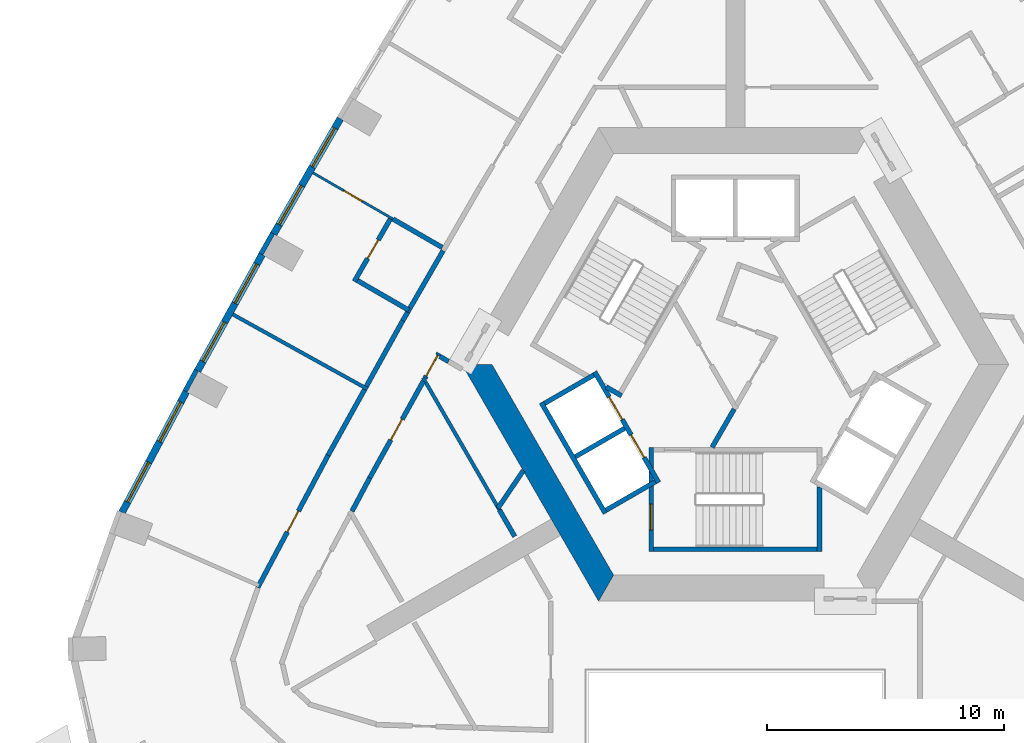
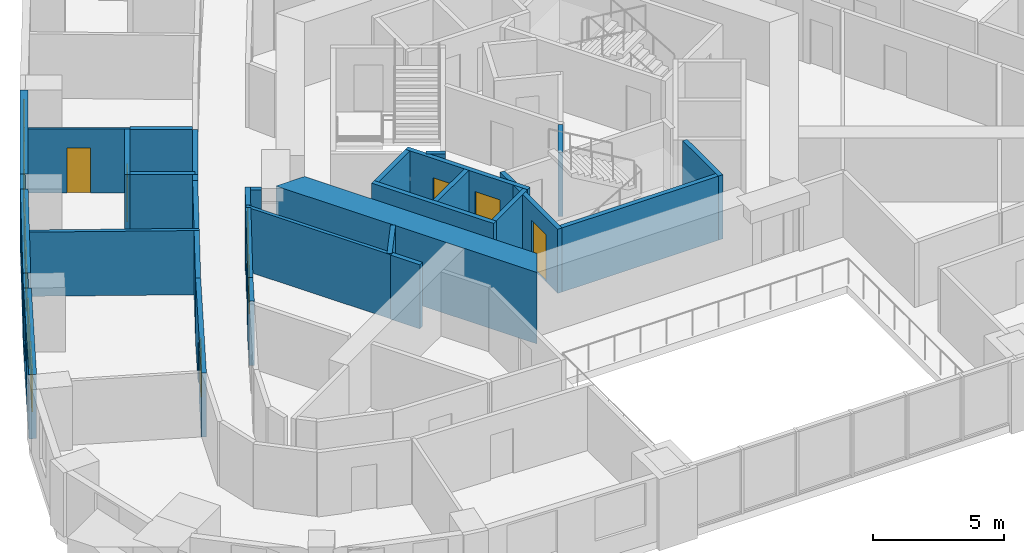
# One storey, part 4 of 12: 33 walls, 8 doors, 6 windows, 14 openings.
"""IFC4 building model written with IfcOpenShell, lengths in metres."""

from ifc_helpers import new_model, si_unit, direction, frame, frame_2d, origin, place, context, subcontext, project, spatial, polyline, rectangle, outline, extrude, material, layer, layer_set, type_object, element, fill, save


model = new_model("IFC4")

# Units and contexts
model_context = context("Model", 3, precision=1e-05, world=origin(), true_north=direction((0.0, 1.0)))
body_context = subcontext(model_context, "Body", "Model", "MODEL_VIEW")
ifc_project = project(units=[si_unit("LENGTHUNIT", "METRE"), si_unit("AREAUNIT", "SQUARE_METRE"), si_unit("VOLUMEUNIT", "CUBIC_METRE"), si_unit("PLANEANGLEUNIT", "RADIAN"), si_unit("MASSUNIT", "GRAM", prefix="KILO")], contexts=[model_context])

# Site, building, storey
site_placement = place(None, origin())
site = spatial("IfcSite", under=ifc_project, at=site_placement, CompositionType="ELEMENT")
building_placement = place(site_placement, origin())
building = spatial("IfcBuilding", under=site, at=building_placement, Name="Entoto Arch Interchange Tower", CompositionType="ELEMENT")
storey_placement = place(building_placement, frame((0.0, 0.0, 277.39990234375)))
storey = spatial("IfcBuildingStorey", under=building, at=storey_placement, Name="L64", CompositionType="ELEMENT", Elevation=277.39990234375)

# Wall
ifc_material_1 = material(Name="Concrete C40/50", Category="concrete")
ifc_layer_1 = layer(ifc_material_1, 1.10009765625)
ifc_layer_set_1 = layer_set([ifc_layer_1], Name="Concrete C40/50")
wall_type_1 = type_object("IfcWallType", Name="Core wall 1100 C40/50", PredefinedType="SHEAR", material=ifc_layer_set_1)
wall_1_placement = place(storey_placement, frame((0.0, 0.0, -0.33984375)))
element("IfcWall", 1, at=wall_1_placement, inside=storey, type_object=wall_type_1, Name="Core wall SW L64", PredefinedType="SHEAR", context=body_context, shape_type="SweptSolid", body=[
    extrude(outline(polyline([(-11.547119140625, 2.5), (-5.77392578125, -7.5), (-5.137939453125, -6.39990234375), (-10.277099609375, 2.5), (-11.547119140625, 2.5)])), origin(), (0.0, 0.0, 1.0), 3.33984375),
])

# Wall, openings, doors
ifc_layer_2 = layer(ifc_material_1, 0.199951171875)
ifc_layer_set_2 = layer_set([ifc_layer_2], Name="Concrete C40/50")
wall_type_2 = type_object("IfcWallType", Name="LIFT SHAFT WALL 200", PredefinedType="STANDARD", material=ifc_layer_set_2)
wall_2_placement = place(storey_placement, frame((-5.93994140625, 2.18798828125, 0.0), z_axis=(0.0, 0.0, 1.0), x_axis=(0.500034260056, -0.866005622828, 0.0)))
wall_2 = element("IfcWall", 2, at=wall_2_placement, inside=storey, type_object=wall_type_2, Name="Shaft wall SW1 front", PredefinedType="STANDARD", context=body_context, shape_type="SweptSolid", body=[
    extrude(rectangle(XDim=5.3994140625, YDim=0.199951171875, at=frame_2d((2.69970703125, 0.0))), origin(), (0.0, 0.0, 1.0), 3.0),
])
opening_1_placement = place(wall_2_placement, frame((3.074951171875, 0.0, 0.0)))
opening_1 = element("IfcOpeningElement", 3, at=opening_1_placement, cuts=wall_2, Name="Opening LD-HR4-L64", PredefinedType="OPENING", context=body_context, shape_type="SweptSolid", body=[
    extrude(rectangle(XDim=1.10009765625, YDim=2.10009765625, at=frame_2d((0.550048828125, 1.050048828125))), frame((0.0, 0.10986328125, 0.0), z_axis=(0.0, -1.0, 0.0), x_axis=(1.0, 0.0, 0.0)), (0.0, 0.0, 1.0), 0.219970703125),
])
opening_2_placement = place(wall_2_placement, frame((1.22509765625, 0.0, 0.0)))
opening_2 = element("IfcOpeningElement", 4, at=opening_2_placement, cuts=wall_2, Name="Opening LD-FF2-L64", PredefinedType="OPENING", context=body_context, shape_type="SweptSolid", body=[
    extrude(rectangle(XDim=1.10009765625, YDim=2.10009765625, at=frame_2d((0.550048828125, 1.050048828125))), frame((0.0, 0.10986328125, 0.0), z_axis=(0.0, -1.0, 0.0), x_axis=(1.0, 0.0, 0.0)), (0.0, 0.0, 1.0), 0.219970703125),
])
ifc_material_2 = material(Name="Stainless steel 1.4301 panels", Category="steel")
door_type_1 = type_object("IfcDoorType", Name="LIFT LANDING DOOR LD1 1100x2100", OperationType="SLIDING_TO_LEFT", PredefinedType="DOOR", material=ifc_material_2)
door_1_placement = place(opening_1_placement, origin())
door_1 = element("IfcDoor", 5, at=door_1_placement, inside=storey, type_object=door_type_1, Name="Lift landing door HR4 L64", OperationType="SLIDING_TO_LEFT", OverallHeight=2.10009765625, OverallWidth=1.10009765625, PredefinedType="DOOR", context=body_context, shape_type="SweptSolid", body=[
    extrude(rectangle(XDim=1.10009765625, YDim=2.10009765625, at=frame_2d((0.550048828125, 1.050048828125))), frame((0.0, 0.02490234375, 0.0), z_axis=(0.0, -1.0, 0.0), x_axis=(1.0, 0.0, 0.0)), (0.0, 0.0, 1.0), 0.050048828125),
])
fill(opening_1, door_1)
door_2_placement = place(opening_2_placement, origin())
door_2 = element("IfcDoor", 6, at=door_2_placement, inside=storey, type_object=door_type_1, Name="Lift landing door FF2 L64", OperationType="SLIDING_TO_LEFT", OverallHeight=2.10009765625, OverallWidth=1.10009765625, PredefinedType="DOOR", context=body_context, shape_type="SweptSolid", body=[
    extrude(rectangle(XDim=1.10009765625, YDim=2.10009765625, at=frame_2d((0.550048828125, 1.050048828125))), frame((0.0, 0.02490234375, 0.0), z_axis=(0.0, -1.0, 0.0), x_axis=(1.0, 0.0, 0.0)), (0.0, 0.0, 1.0), 0.050048828125),
])
fill(opening_2, door_2)

# Walls
wall_3_placement = place(storey_placement, frame((-8.19189453125, 0.887939453125, 0.0), z_axis=(0.0, 0.0, 1.0), x_axis=(0.500034260056, -0.866005622828, 0.0)))
element("IfcWall", 7, at=wall_3_placement, inside=storey, type_object=wall_type_2, Name="Shaft wall SW1 back", PredefinedType="STANDARD", context=body_context, shape_type="SweptSolid", body=[
    extrude(rectangle(XDim=5.3994140625, YDim=0.199951171875, at=frame_2d((2.69970703125, 0.0))), origin(), (0.0, 0.0, 1.0), 3.0),
])
for number, where, z_axis, x_axis, name in (
    (8, (-5.97705078125, 2.052001953125, 0.0), (0.0, 0.0, 1.0), (-0.865973769406, -0.500089422704, 0.0), "Shaft wall SW1 cross 1"),
    (9, (-4.677001953125, -0.199951171875, 0.0), (0.0, 0.0, 1.0), (-0.865973769406, -0.500089422704, 0.0), "Shaft wall SW1 cross 2"),
):
    element("IfcWall", number, at=place(storey_placement, frame(where, z_axis=z_axis, x_axis=x_axis)), inside=storey, type_object=wall_type_2, Name=name, PredefinedType="STANDARD", context=body_context, shape_type="SweptSolid", body=[
        extrude(rectangle(XDim=2.3994140625, YDim=0.199951171875, at=frame_2d((1.19970703125, 0.0))), origin(), (0.0, 0.0, 1.0), 3.0),
    ])
wall_4_placement = place(storey_placement, frame((-3.376953125, -2.451904296875, 0.0), z_axis=(0.0, 0.0, 1.0), x_axis=(-0.865955154139, -0.50012165622, 0.0)))
element("IfcWall", 10, at=wall_4_placement, inside=storey, type_object=wall_type_2, Name="Shaft wall SW1 cross 3", PredefinedType="STANDARD", context=body_context, shape_type="SweptSolid", body=[
    extrude(rectangle(XDim=2.39990234375, YDim=0.199951171875, at=frame_2d((1.199951171875, 0.0))), origin(), (0.0, 0.0, 1.0), 3.0),
])

# Wall, opening, door
ifc_material_3 = material(Name="Gypsum board partition on steel studs", Category="steel")
ifc_layer_3 = layer(ifc_material_3, 0.10009765625)
ifc_layer_set_3 = layer_set([ifc_layer_3], Name="Gypsum board partition on steel studs")
wall_type_3 = type_object("IfcWallType", Name="PARTITION 100", PredefinedType="PARTITIONING", material=ifc_layer_set_3)
wall_5_placement = place(storey_placement, frame((-14.4541015625, 8.636962890625, 0.0), z_axis=(0.0, 0.0, 1.0), x_axis=(-0.865995823051, 0.500051231833, 0.0)))
wall_5 = element("IfcWall", 11, at=wall_5_placement, inside=storey, type_object=wall_type_3, Name="wall:L64:p117", PredefinedType="PARTITIONING", context=body_context, shape_type="SweptSolid", body=[
    extrude(rectangle(XDim=3.8994140625, YDim=0.10009765625, at=frame_2d((1.94970703125, 0.0))), origin(), (0.0, 0.0, 1.0), 3.0),
])
opening_3_placement = place(wall_5_placement, frame((1.5, 0.0, 0.0)))
opening_3 = element("IfcOpeningElement", 12, at=opening_3_placement, cuts=wall_5, Name="Opening L64-D14", PredefinedType="OPENING", context=body_context, shape_type="SweptSolid", body=[
    extrude(rectangle(XDim=0.89990234375, YDim=2.10009765625, at=frame_2d((0.449951171875, 1.050048828125))), frame((0.0, 0.06005859375, 0.0), z_axis=(0.0, -1.0, 0.0), x_axis=(1.0, 0.0, 0.0)), (0.0, 0.0, 1.0), 0.1201171875),
])
ifc_material_4 = material(Name="Timber door leaf in Steel S235 frame", Category="steel")
door_type_2 = type_object("IfcDoorType", Name="DOOR DS-09 900x2100", OperationType="SINGLE_SWING_LEFT", PredefinedType="DOOR", material=ifc_material_4)
door_3_placement = place(opening_3_placement, origin())
door_3 = element("IfcDoor", 13, at=door_3_placement, inside=storey, type_object=door_type_2, Name="door:L64:14", OperationType="SINGLE_SWING_LEFT", OverallHeight=2.10009765625, OverallWidth=0.89990234375, PredefinedType="DOOR", context=body_context, shape_type="SweptSolid", body=[
    extrude(rectangle(XDim=0.89990234375, YDim=2.10009765625, at=frame_2d((0.449951171875, 1.050048828125))), frame((0.0, 0.02490234375, 0.0), z_axis=(0.0, -1.0, 0.0), x_axis=(1.0, 0.0, 0.0)), (0.0, 0.0, 1.0), 0.050048828125),
])
fill(opening_3, door_3)

# Walls
ifc_layer_4 = layer(ifc_material_3, 0.14990234375)
ifc_layer_set_4 = layer_set([ifc_layer_4], Name="Gypsum board partition on steel studs")
wall_type_4 = type_object("IfcWallType", Name="PARTITION 150", PredefinedType="PARTITIONING", material=ifc_layer_set_4)
wall_6_placement = place(storey_placement, frame((-13.18798828125, 1.94189453125, 0.0), z_axis=(0.0, 0.0, 1.0), x_axis=(0.500061177503, -0.865990080056, 0.0)))
element("IfcWall", 14, at=wall_6_placement, inside=storey, type_object=wall_type_4, Name="wall:L64:p073", PredefinedType="PARTITIONING", context=body_context, shape_type="SweptSolid", body=[
    extrude(rectangle(XDim=6.447021484375, YDim=0.14990234375, at=frame_2d((3.2236328125, 0.0))), origin(), (0.0, 0.0, 1.0), 3.0),
])
wall_7_placement = place(storey_placement, frame((-15.531982421875, 1.45703125, 0.0), z_axis=(0.0, 0.0, 1.0), x_axis=(-0.874467143452, 0.485084750351, 0.0)))
element("IfcWall", 15, at=wall_7_placement, inside=storey, type_object=wall_type_4, Name="wall:L64:p121", PredefinedType="PARTITIONING", context=body_context, shape_type="SweptSolid", body=[
    extrude(rectangle(XDim=6.5, YDim=0.14990234375, at=frame_2d((3.25, 0.0))), origin(), (0.0, 0.0, 1.0), 3.0),
])

# Wall, opening, door
ifc_layer_5 = layer(ifc_material_3, 0.199951171875)
ifc_layer_set_5 = layer_set([ifc_layer_5], Name="Gypsum board partition on steel studs")
wall_type_5 = type_object("IfcWallType", Name="PARTITION 200", PredefinedType="PARTITIONING", material=ifc_layer_set_5)
wall_8_placement = place(storey_placement, frame((-12.51708984375, 2.97509765625, 0.0), z_axis=(0.0, 0.0, 1.0), x_axis=(-0.485195833999, -0.87440551386, 0.0)))
wall_8 = element("IfcWall", 16, at=wall_8_placement, inside=storey, type_object=wall_type_5, Name="wall:L64:p005", PredefinedType="PARTITIONING", context=body_context, shape_type="SweptSolid", body=[
    extrude(rectangle(XDim=1.20556640625, YDim=0.199951171875, at=frame_2d((0.602783203125, 0.0))), origin(), (0.0, 0.0, 1.0), 3.0),
])
opening_4_placement = place(wall_8_placement, frame((0.10302734375, 0.0, 0.0)))
opening_4 = element("IfcOpeningElement", 17, at=opening_4_placement, cuts=wall_8, Name="Opening L64-D30", PredefinedType="OPENING", context=body_context, shape_type="SweptSolid", body=[
    extrude(rectangle(XDim=1.0, YDim=2.10009765625, at=frame_2d((0.5, 1.050048828125))), frame((0.0, 0.10986328125, 0.0), z_axis=(0.0, -1.0, 0.0), x_axis=(1.0, 0.0, 0.0)), (0.0, 0.0, 1.0), 0.219970703125),
])
door_type_3 = type_object("IfcDoorType", Name="DOOR DS-10 1000x2100", OperationType="SINGLE_SWING_LEFT", PredefinedType="DOOR", material=ifc_material_4)
door_4_placement = place(opening_4_placement, origin())
door_4 = element("IfcDoor", 18, at=door_4_placement, inside=storey, type_object=door_type_3, Name="door:L64:30", OperationType="SINGLE_SWING_RIGHT", OverallHeight=2.10009765625, OverallWidth=1.0, PredefinedType="DOOR", context=body_context, shape_type="SweptSolid", body=[
    extrude(rectangle(XDim=1.0, YDim=2.10009765625, at=frame_2d((0.5, 1.050048828125))), frame((0.0, 0.02490234375, 0.0), z_axis=(0.0, -1.0, 0.0), x_axis=(1.0, 0.0, 0.0)), (0.0, 0.0, 1.0), 0.050048828125),
])
fill(opening_4, door_4)

wall_9_placement = place(storey_placement, frame((-13.174072265625, 1.7900390625, 0.0), z_axis=(0.0, 0.0, 1.0), x_axis=(-0.485079003918, -0.874470331091, 0.0)))
wall_9 = element("IfcWall", 19, at=wall_9_placement, inside=storey, type_object=wall_type_5, Name="wall:L64:p028", PredefinedType="PARTITIONING", context=body_context, shape_type="SweptSolid", body=[
    extrude(rectangle(XDim=4.669189453125, YDim=0.199951171875, at=frame_2d((2.33447265625, 0.0))), origin(), (0.0, 0.0, 1.0), 3.0),
])
opening_5_placement = place(wall_9_placement, frame((1.833984375, 0.0, 0.0)))
opening_5 = element("IfcOpeningElement", 20, at=opening_5_placement, cuts=wall_9, Name="Opening L64-D26", PredefinedType="OPENING", context=body_context, shape_type="SweptSolid", body=[
    extrude(rectangle(XDim=1.0, YDim=2.10009765625, at=frame_2d((0.5, 1.050048828125))), frame((0.0, 0.10986328125, 0.0), z_axis=(0.0, -1.0, 0.0), x_axis=(1.0, 0.0, 0.0)), (0.0, 0.0, 1.0), 0.219970703125),
])
door_5_placement = place(opening_5_placement, origin())
door_5 = element("IfcDoor", 21, at=door_5_placement, inside=storey, type_object=door_type_3, Name="door:L64:26", OperationType="SINGLE_SWING_LEFT", OverallHeight=2.10009765625, OverallWidth=1.0, PredefinedType="DOOR", context=body_context, shape_type="SweptSolid", body=[
    extrude(rectangle(XDim=1.0, YDim=2.10009765625, at=frame_2d((0.5, 1.050048828125))), frame((0.0, 0.02490234375, 0.0), z_axis=(0.0, -1.0, 0.0), x_axis=(1.0, 0.0, 0.0)), (0.0, 0.0, 1.0), 0.050048828125),
])
fill(opening_5, door_5)

# Walls
wall_10_placement = place(storey_placement, frame((-15.43896484375, -2.29296875, 0.0), z_axis=(0.0, 0.0, 1.0), x_axis=(-0.469248780065, -0.883066012486, 0.0)))
element("IfcWall", 22, at=wall_10_placement, inside=storey, type_object=wall_type_5, Name="wall:L64:p029", PredefinedType="PARTITIONING", context=body_context, shape_type="SweptSolid", body=[
    extrude(rectangle(XDim=1.590087890625, YDim=0.199951171875, at=frame_2d((0.794921875, 0.0))), origin(), (0.0, 0.0, 1.0), 3.0),
])
wall_11_placement = place(storey_placement, frame((-15.5830078125, 1.571044921875, 0.0), z_axis=(0.0, 0.0, 1.0), x_axis=(0.484944791944, 0.874544766588, 0.0)))
element("IfcWall", 23, at=wall_11_placement, inside=storey, type_object=wall_type_5, Name="wall:L64:p062", PredefinedType="PARTITIONING", context=body_context, shape_type="SweptSolid", body=[
    extrude(rectangle(XDim=3.177734375, YDim=0.199951171875, at=frame_2d((1.5888671875, 0.0))), origin(), (0.0, 0.0, 1.0), 3.0),
])
wall_12_placement = place(storey_placement, frame((-14.0419921875, 4.35009765625, 0.0), z_axis=(0.0, 0.0, 1.0), x_axis=(0.501816902032, 0.864973870608, 0.0)))
element("IfcWall", 24, at=wall_12_placement, inside=storey, type_object=wall_type_5, Name="wall:L64:p063", PredefinedType="PARTITIONING", context=body_context, shape_type="SweptSolid", body=[
    extrude(rectangle(XDim=0.40673828125, YDim=0.199951171875, at=frame_2d((0.203369140625, 0.0))), origin(), (0.0, 0.0, 1.0), 3.0),
])
wall_13_placement = place(storey_placement, frame((-13.837890625, 4.701904296875, 0.0), z_axis=(0.0, 0.0, 1.0), x_axis=(0.499543983968, 0.866288524731, 0.0)))
element("IfcWall", 25, at=wall_13_placement, inside=storey, type_object=wall_type_5, Name="wall:L64:p064", PredefinedType="PARTITIONING", context=body_context, shape_type="SweptSolid", body=[
    extrude(rectangle(XDim=3.000244140625, YDim=0.199951171875, at=frame_2d((1.5, 0.0))), origin(), (0.0, 0.0, 1.0), 3.0),
])

# Wall, opening, door
wall_14_placement = place(storey_placement, frame((-20.16796875, -6.926025390625, 0.0), z_axis=(0.0, 0.0, 1.0), x_axis=(0.469552838911, 0.882904372778, 0.0)))
wall_14 = element("IfcWall", 26, at=wall_14_placement, inside=storey, type_object=wall_type_5, Name="wall:L64:p065", PredefinedType="PARTITIONING", context=body_context, shape_type="SweptSolid", body=[
    extrude(rectangle(XDim=6.329345703125, YDim=0.199951171875, at=frame_2d((3.16455078125, 0.0))), origin(), (0.0, 0.0, 1.0), 3.0),
])
opening_6_placement = place(wall_14_placement, frame((2.6650390625, 0.0, 0.0)))
opening_6 = element("IfcOpeningElement", 27, at=opening_6_placement, cuts=wall_14, Name="Opening L64-D19", PredefinedType="OPENING", context=body_context, shape_type="SweptSolid", body=[
    extrude(rectangle(XDim=1.0, YDim=2.10009765625, at=frame_2d((0.5, 1.050048828125))), frame((0.0, 0.10986328125, 0.0), z_axis=(0.0, -1.0, 0.0), x_axis=(1.0, 0.0, 0.0)), (0.0, 0.0, 1.0), 0.219970703125),
])
door_6_placement = place(opening_6_placement, origin())
door_6 = element("IfcDoor", 28, at=door_6_placement, inside=storey, type_object=door_type_3, Name="door:L64:19", OperationType="SINGLE_SWING_LEFT", OverallHeight=2.10009765625, OverallWidth=1.0, PredefinedType="DOOR", context=body_context, shape_type="SweptSolid", body=[
    extrude(rectangle(XDim=1.0, YDim=2.10009765625, at=frame_2d((0.5, 1.050048828125))), frame((0.0, 0.02490234375, 0.0), z_axis=(0.0, -1.0, 0.0), x_axis=(1.0, 0.0, 0.0)), (0.0, 0.0, 1.0), 0.050048828125),
])
fill(opening_6, door_6)

# Walls
wall_15_placement = place(storey_placement, frame((-17.196044921875, -1.337890625, 0.0), z_axis=(0.0, 0.0, 1.0), x_axis=(0.485107756493, 0.87445438108, 0.0)))
element("IfcWall", 29, at=wall_15_placement, inside=storey, type_object=wall_type_5, Name="wall:L64:p066", PredefinedType="PARTITIONING", context=body_context, shape_type="SweptSolid", body=[
    extrude(rectangle(XDim=3.1767578125, YDim=0.199951171875, at=frame_2d((1.58837890625, 0.0))), origin(), (0.0, 0.0, 1.0), 3.0),
])
wall_16_placement = place(storey_placement, frame((-10.028076171875, -3.574951171875, 0.0), z_axis=(0.0, 0.0, 1.0), x_axis=(0.559779346026, 0.828641710127, 0.0)))
element("IfcWall", 30, at=wall_16_placement, inside=storey, type_object=wall_type_5, Name="wall:L64:p072", PredefinedType="PARTITIONING", context=body_context, shape_type="SweptSolid", body=[
    extrude(rectangle(XDim=1.9150390625, YDim=0.199951171875, at=frame_2d((0.95751953125, 0.0))), origin(), (0.0, 0.0, 1.0), 3.0),
])
wall_17_placement = place(storey_placement, frame((-0.98193359375, -1.0, 0.0), z_axis=(0.0, 0.0, 1.0), x_axis=(0.50024047865, 0.865886518847, 0.0)))
element("IfcWall", 31, at=wall_17_placement, inside=storey, type_object=wall_type_5, Name="wall:L64:p077", PredefinedType="PARTITIONING", context=body_context, shape_type="SweptSolid", body=[
    extrude(rectangle(XDim=1.86279296875, YDim=0.199951171875, at=frame_2d((0.931396484375, 0.0))), origin(), (0.0, 0.0, 1.0), 3.0),
])
wall_18_placement = place(storey_placement, frame((-9.31591796875, -4.763916015625, 0.0), z_axis=(0.0, 0.0, 1.0), x_axis=(-0.49996696679, 0.866044474677, 0.0)))
element("IfcWall", 32, at=wall_18_placement, inside=storey, type_object=wall_type_5, Name="wall:L64:p081", PredefinedType="PARTITIONING", context=body_context, shape_type="SweptSolid", body=[
    extrude(rectangle(XDim=1.29638671875, YDim=0.199951171875, at=frame_2d((0.648193359375, 0.0))), origin(), (0.0, 0.0, 1.0), 3.0),
])
wall_19_placement = place(storey_placement, frame((-12.375, 7.43701171875, 0.0), z_axis=(0.0, 0.0, 1.0), x_axis=(-0.866100915363, 0.499869187296, 0.0)))
element("IfcWall", 33, at=wall_19_placement, inside=storey, type_object=wall_type_5, Name="wall:L64:p118", PredefinedType="PARTITIONING", context=body_context, shape_type="SweptSolid", body=[
    extrude(rectangle(XDim=2.400634765625, YDim=0.199951171875, at=frame_2d((1.2001953125, 0.0))), origin(), (0.0, 0.0, 1.0), 3.0),
])

# Wall, opening, door
wall_20_placement = place(storey_placement, frame((-14.514892578125, 8.72998046875, 0.0), z_axis=(0.0, 0.0, 1.0), x_axis=(-0.500039995618, -0.866002311072, 0.0)))
wall_20 = element("IfcWall", 34, at=wall_20_placement, inside=storey, type_object=wall_type_5, Name="wall:L64:p119", PredefinedType="PARTITIONING", context=body_context, shape_type="SweptSolid", body=[
    extrude(rectangle(XDim=3.150146484375, YDim=0.199951171875, at=frame_2d((1.5751953125, 0.0))), origin(), (0.0, 0.0, 1.0), 3.0),
])
opening_7_placement = place(wall_20_placement, frame((1.125, 0.0, 0.0)))
opening_7 = element("IfcOpeningElement", 35, at=opening_7_placement, cuts=wall_20, Name="Opening L64-D15", PredefinedType="OPENING", context=body_context, shape_type="SweptSolid", body=[
    extrude(rectangle(XDim=0.89990234375, YDim=2.10009765625, at=frame_2d((0.449951171875, 1.050048828125))), frame((0.0, 0.10986328125, 0.0), z_axis=(0.0, -1.0, 0.0), x_axis=(1.0, 0.0, 0.0)), (0.0, 0.0, 1.0), 0.219970703125),
])
door_7_placement = place(opening_7_placement, origin())
door_7 = element("IfcDoor", 36, at=door_7_placement, inside=storey, type_object=door_type_2, Name="door:L64:15", OperationType="SINGLE_SWING_LEFT", OverallHeight=2.10009765625, OverallWidth=0.89990234375, PredefinedType="DOOR", context=body_context, shape_type="SweptSolid", body=[
    extrude(rectangle(XDim=0.89990234375, YDim=2.10009765625, at=frame_2d((0.449951171875, 1.050048828125))), frame((0.0, 0.02490234375, 0.0), z_axis=(0.0, -1.0, 0.0), x_axis=(1.0, 0.0, 0.0)), (0.0, 0.0, 1.0), 0.050048828125),
])
fill(opening_7, door_7)

# Walls
wall_21_placement = place(storey_placement, frame((-15.952880859375, 6.0390625, 0.0), z_axis=(0.0, 0.0, 1.0), x_axis=(0.865998541277, -0.500046524342, 0.0)))
element("IfcWall", 37, at=wall_21_placement, inside=storey, type_object=wall_type_5, Name="wall:L64:p120", PredefinedType="PARTITIONING", context=body_context, shape_type="SweptSolid", body=[
    extrude(rectangle(XDim=2.499755859375, YDim=0.199951171875, at=frame_2d((1.25, 0.0))), origin(), (0.0, 0.0, 1.0), 3.0),
])
wall_22_placement = place(storey_placement, frame((-12.110107421875, 2.625, 0.0), z_axis=(0.0, 0.0, 1.0), x_axis=(-0.86611877815, 0.499838235968, 0.0)))
element("IfcWall", 38, at=wall_22_placement, inside=storey, type_object=wall_type_5, Name="wall:L64:p004", PredefinedType="PARTITIONING", context=body_context, shape_type="SweptSolid", body=[
    extrude(rectangle(XDim=0.426025390625, YDim=0.199951171875, at=frame_2d((0.212890625, 0.0))), origin(), (0.0, 0.0, 1.0), 3.0),
])

# Wall, opening, door
ifc_layer_6 = layer(ifc_material_1, 0.199951171875)
ifc_layer_set_6 = layer_set([ifc_layer_6], Name="Concrete C40/50")
wall_type_6 = type_object("IfcWallType", Name="STAIR ENCLOSURE WALL 200", PredefinedType="STANDARD", material=ifc_layer_set_6)
wall_23_placement = place(storey_placement, frame((-3.550048828125, -1.0, 0.0), z_axis=(0.0, 0.0, 1.0), x_axis=(0.0, -1.0, 0.0)))
wall_23 = element("IfcWall", 39, at=wall_23_placement, inside=storey, type_object=wall_type_6, Name="Stair wall ST-S near", PredefinedType="STANDARD", context=body_context, shape_type="SweptSolid", body=[
    extrude(rectangle(XDim=4.39990234375, YDim=0.199951171875, at=frame_2d((2.199951171875, 0.0))), origin(), (0.0, 0.0, 1.0), 3.0),
])
opening_8_placement = place(wall_23_placement, frame((2.39990234375, 0.0, 0.0)))
opening_8 = element("IfcOpeningElement", 40, at=opening_8_placement, cuts=wall_23, Name="Opening SD-ST-S-L64-E", PredefinedType="OPENING", context=body_context, shape_type="SweptSolid", body=[
    extrude(rectangle(XDim=1.10009765625, YDim=2.199951171875, at=frame_2d((0.550048828125, 1.10009765625))), frame((0.0, 0.10986328125, 0.0), z_axis=(0.0, -1.0, 0.0), x_axis=(1.0, 0.0, 0.0)), (0.0, 0.0, 1.0), 0.219970703125),
])
ifc_material_5 = material(Name="Steel S235", Category="steel")
door_type_4 = type_object("IfcDoorType", Name="STAIR DOOR SD1 1100x2200", OperationType="SINGLE_SWING_LEFT", PredefinedType="DOOR", material=ifc_material_5)
door_8_placement = place(opening_8_placement, origin())
door_8 = element("IfcDoor", 41, at=door_8_placement, inside=storey, type_object=door_type_4, Name="Stair door ST-S L64 end", OperationType="SINGLE_SWING_LEFT", OverallHeight=2.199951171875, OverallWidth=1.10009765625, PredefinedType="DOOR", context=body_context, shape_type="SweptSolid", body=[
    extrude(rectangle(XDim=1.10009765625, YDim=2.199951171875, at=frame_2d((0.550048828125, 1.10009765625))), frame((0.0, 0.02490234375, 0.0), z_axis=(0.0, -1.0, 0.0), x_axis=(1.0, 0.0, 0.0)), (0.0, 0.0, 1.0), 0.050048828125),
])
fill(opening_8, door_8)

# Walls
wall_24_placement = place(storey_placement, frame((3.550048828125, -2.6669921875, 0.0), z_axis=(0.0, 0.0, 1.0), x_axis=(0.0, -1.0, 0.0)))
element("IfcWall", 42, at=wall_24_placement, inside=storey, type_object=wall_type_6, Name="Stair wall ST-S far", PredefinedType="STANDARD", context=body_context, shape_type="SweptSolid", body=[
    extrude(rectangle(XDim=2.73291015625, YDim=0.199951171875, at=frame_2d((1.366455078125, 0.0))), origin(), (0.0, 0.0, 1.0), 3.0),
])
wall_25_placement = place(storey_placement, frame((-3.449951171875, -5.300048828125, 0.0), z_axis=(0.0, 0.0, 1.0), x_axis=(1.0, 0.0, 0.0)))
element("IfcWall", 43, at=wall_25_placement, inside=storey, type_object=wall_type_6, Name="Stair wall ST-S back", PredefinedType="STANDARD", context=body_context, shape_type="SweptSolid", body=[
    extrude(rectangle(XDim=6.89990234375, YDim=0.199951171875, at=frame_2d((3.449951171875, 0.0))), origin(), (0.0, 0.0, 1.0), 3.0),
])
wall_26_placement = place(storey_placement, frame((-4.805908203125, 1.176025390625, 0.0), z_axis=(0.0, 0.0, 1.0), x_axis=(-0.866558586415, 0.499075361355, 0.0)))
element("IfcWall", 44, at=wall_26_placement, inside=storey, type_object=wall_type_6, Name="Stair wall ST-NW far return", PredefinedType="STANDARD", context=body_context, shape_type="SweptSolid", body=[
    extrude(rectangle(XDim=0.75146484375, YDim=0.199951171875, at=frame_2d((0.375732421875, 0.0))), origin(), (0.0, 0.0, 1.0), 3.0),
])

# Wall, openings, windows
ifc_material_6 = material(Name="Welded tuff (ignimbrite) cladding, warm buff", Category="masonry")
ifc_layer_7 = layer(ifc_material_6, 0.300048828125)
ifc_layer_set_7 = layer_set([ifc_layer_7], Name="Welded tuff (ignimbrite) cladding, warm buff")
wall_type_7 = type_object("IfcWallType", Name="STONE INFILL WALL 300", PredefinedType="STANDARD", material=ifc_layer_set_7)
wall_27_placement = place(storey_placement, frame((-16.681884765625, 12.876953125, 0.0), z_axis=(0.0, 0.0, 1.0), x_axis=(-0.49999685976, -0.866027216796, 0.0)))
wall_27 = element("IfcWall", 45, at=wall_27_placement, inside=storey, type_object=wall_type_7, Name="Facade wall NW-03 L64", PredefinedType="STANDARD", context=body_context, shape_type="SweptSolid", body=[
    extrude(rectangle(XDim=5.6220703125, YDim=0.300048828125, at=frame_2d((2.81103515625, 0.0))), origin(), (0.0, 0.0, 1.0), 3.0),
])
opening_9_placement = place(wall_27_placement, frame((0.4560546875, 0.0, 0.89990234375)))
opening_9 = element("IfcOpeningElement", 46, at=opening_9_placement, cuts=wall_27, Name="Opening WH-C", PredefinedType="OPENING", context=body_context, shape_type="SweptSolid", body=[
    extrude(rectangle(XDim=1.89990234375, YDim=2.0, at=frame_2d((0.949951171875, 1.0))), frame((0.0, 0.16015625, 0.0), z_axis=(0.0, -1.0, 0.0), x_axis=(1.0, 0.0, 0.0)), (0.0, 0.0, 1.0), 0.320068359375),
])
opening_10_placement = place(wall_27_placement, frame((3.26708984375, 0.0, 0.89990234375)))
opening_10 = element("IfcOpeningElement", 47, at=opening_10_placement, cuts=wall_27, Name="Opening WH-C", PredefinedType="OPENING", context=body_context, shape_type="SweptSolid", body=[
    extrude(rectangle(XDim=1.89990234375, YDim=2.0, at=frame_2d((0.949951171875, 1.0))), frame((0.0, 0.16015625, 0.0), z_axis=(0.0, -1.0, 0.0), x_axis=(1.0, 0.0, 0.0)), (0.0, 0.0, 1.0), 0.320068359375),
])
ifc_material_7 = material(Name="Clear glass, low-e double glazed", Category="glass")
window_type = type_object("IfcWindowType", Name="WINDOW WH-C 1900x2000", PartitioningType="DOUBLE_PANEL_VERTICAL", PredefinedType="WINDOW", material=ifc_material_7)
window_1_placement = place(opening_9_placement, origin())
window_1 = element("IfcWindow", 48, at=window_1_placement, inside=storey, type_object=window_type, Name="Window WH-C NW-03 L64", OverallHeight=2.0, OverallWidth=1.89990234375, PartitioningType="SINGLE_PANEL", PredefinedType="WINDOW", context=body_context, shape_type="SweptSolid", body=[
    extrude(rectangle(XDim=1.89990234375, YDim=2.0, at=frame_2d((0.949951171875, 1.0))), frame((0.0, 0.030029296875, 0.0), z_axis=(0.0, -1.0, 0.0), x_axis=(1.0, 0.0, 0.0)), (0.0, 0.0, 1.0), 0.06005859375),
])
fill(opening_9, window_1)
window_2_placement = place(opening_10_placement, origin())
window_2 = element("IfcWindow", 49, at=window_2_placement, inside=storey, type_object=window_type, Name="Window WH-C NW-03 L64", OverallHeight=2.0, OverallWidth=1.89990234375, PartitioningType="SINGLE_PANEL", PredefinedType="WINDOW", context=body_context, shape_type="SweptSolid", body=[
    extrude(rectangle(XDim=1.89990234375, YDim=2.0, at=frame_2d((0.949951171875, 1.0))), frame((0.0, 0.030029296875, 0.0), z_axis=(0.0, -1.0, 0.0), x_axis=(1.0, 0.0, 0.0)), (0.0, 0.0, 1.0), 0.06005859375),
])
fill(opening_10, window_2)

wall_28_placement = place(storey_placement, frame((-19.98388671875, 7.139892578125, 0.0), z_axis=(0.0, 0.0, 1.0), x_axis=(-0.485049005017, -0.874486971162, 0.0)))
wall_28 = element("IfcWall", 50, at=wall_28_placement, inside=storey, type_object=wall_type_7, Name="Facade wall NW-04 L64", PredefinedType="STANDARD", context=body_context, shape_type="SweptSolid", body=[
    extrude(rectangle(XDim=5.6201171875, YDim=0.300048828125, at=frame_2d((2.81005859375, 0.0))), origin(), (0.0, 0.0, 1.0), 3.0),
])
opening_11_placement = place(wall_28_placement, frame((0.455078125, 0.0, 0.89990234375)))
opening_11 = element("IfcOpeningElement", 51, at=opening_11_placement, cuts=wall_28, Name="Opening WH-C", PredefinedType="OPENING", context=body_context, shape_type="SweptSolid", body=[
    extrude(rectangle(XDim=1.89990234375, YDim=2.0, at=frame_2d((0.949951171875, 1.0))), frame((0.0, 0.16015625, 0.0), z_axis=(0.0, -1.0, 0.0), x_axis=(1.0, 0.0, 0.0)), (0.0, 0.0, 1.0), 0.320068359375),
])
opening_12_placement = place(wall_28_placement, frame((3.264892578125, 0.0, 0.89990234375)))
opening_12 = element("IfcOpeningElement", 52, at=opening_12_placement, cuts=wall_28, Name="Opening WH-C", PredefinedType="OPENING", context=body_context, shape_type="SweptSolid", body=[
    extrude(rectangle(XDim=1.89990234375, YDim=2.0, at=frame_2d((0.949951171875, 1.0))), frame((0.0, 0.16015625, 0.0), z_axis=(0.0, -1.0, 0.0), x_axis=(1.0, 0.0, 0.0)), (0.0, 0.0, 1.0), 0.320068359375),
])
window_3_placement = place(opening_11_placement, origin())
window_3 = element("IfcWindow", 53, at=window_3_placement, inside=storey, type_object=window_type, Name="Window WH-C NW-04 L64", OverallHeight=2.0, OverallWidth=1.89990234375, PartitioningType="SINGLE_PANEL", PredefinedType="WINDOW", context=body_context, shape_type="SweptSolid", body=[
    extrude(rectangle(XDim=1.89990234375, YDim=2.0, at=frame_2d((0.949951171875, 1.0))), frame((0.0, 0.030029296875, 0.0), z_axis=(0.0, -1.0, 0.0), x_axis=(1.0, 0.0, 0.0)), (0.0, 0.0, 1.0), 0.06005859375),
])
fill(opening_11, window_3)
window_4_placement = place(opening_12_placement, origin())
window_4 = element("IfcWindow", 54, at=window_4_placement, inside=storey, type_object=window_type, Name="Window WH-C NW-04 L64", OverallHeight=2.0, OverallWidth=1.89990234375, PartitioningType="SINGLE_PANEL", PredefinedType="WINDOW", context=body_context, shape_type="SweptSolid", body=[
    extrude(rectangle(XDim=1.89990234375, YDim=2.0, at=frame_2d((0.949951171875, 1.0))), frame((0.0, 0.030029296875, 0.0), z_axis=(0.0, -1.0, 0.0), x_axis=(1.0, 0.0, 0.0)), (0.0, 0.0, 1.0), 0.06005859375),
])
fill(opening_12, window_4)

wall_29_placement = place(storey_placement, frame((-23.18603515625, 1.347900390625, 0.0), z_axis=(0.0, 0.0, 1.0), x_axis=(-0.469691596427, -0.882830563724, 0.0)))
wall_29 = element("IfcWall", 55, at=wall_29_placement, inside=storey, type_object=wall_type_7, Name="Facade wall NW-05 L64", PredefinedType="STANDARD", context=body_context, shape_type="SweptSolid", body=[
    extrude(rectangle(XDim=5.767578125, YDim=0.300048828125, at=frame_2d((2.8837890625, 0.0))), origin(), (0.0, 0.0, 1.0), 3.0),
])
opening_13_placement = place(wall_29_placement, frame((0.491943359375, 0.0, 0.89990234375)))
opening_13 = element("IfcOpeningElement", 56, at=opening_13_placement, cuts=wall_29, Name="Opening WH-C", PredefinedType="OPENING", context=body_context, shape_type="SweptSolid", body=[
    extrude(rectangle(XDim=1.89990234375, YDim=2.0, at=frame_2d((0.949951171875, 1.0))), frame((0.0, 0.16015625, 0.0), z_axis=(0.0, -1.0, 0.0), x_axis=(1.0, 0.0, 0.0)), (0.0, 0.0, 1.0), 0.320068359375),
])
opening_14_placement = place(wall_29_placement, frame((3.3759765625, 0.0, 0.89990234375)))
opening_14 = element("IfcOpeningElement", 57, at=opening_14_placement, cuts=wall_29, Name="Opening WH-C", PredefinedType="OPENING", context=body_context, shape_type="SweptSolid", body=[
    extrude(rectangle(XDim=1.89990234375, YDim=2.0, at=frame_2d((0.949951171875, 1.0))), frame((0.0, 0.16015625, 0.0), z_axis=(0.0, -1.0, 0.0), x_axis=(1.0, 0.0, 0.0)), (0.0, 0.0, 1.0), 0.320068359375),
])
window_5_placement = place(opening_13_placement, origin())
window_5 = element("IfcWindow", 58, at=window_5_placement, inside=storey, type_object=window_type, Name="Window WH-C NW-05 L64", OverallHeight=2.0, OverallWidth=1.89990234375, PartitioningType="SINGLE_PANEL", PredefinedType="WINDOW", context=body_context, shape_type="SweptSolid", body=[
    extrude(rectangle(XDim=1.89990234375, YDim=2.0, at=frame_2d((0.949951171875, 1.0))), frame((0.0, 0.030029296875, 0.0), z_axis=(0.0, -1.0, 0.0), x_axis=(1.0, 0.0, 0.0)), (0.0, 0.0, 1.0), 0.06005859375),
])
fill(opening_13, window_5)
window_6_placement = place(opening_14_placement, origin())
window_6 = element("IfcWindow", 59, at=window_6_placement, inside=storey, type_object=window_type, Name="Window WH-C NW-05 L64", OverallHeight=2.0, OverallWidth=1.89990234375, PartitioningType="SINGLE_PANEL", PredefinedType="WINDOW", context=body_context, shape_type="SweptSolid", body=[
    extrude(rectangle(XDim=1.89990234375, YDim=2.0, at=frame_2d((0.949951171875, 1.0))), frame((0.0, 0.030029296875, 0.0), z_axis=(0.0, -1.0, 0.0), x_axis=(1.0, 0.0, 0.0)), (0.0, 0.0, 1.0), 0.06005859375),
])
fill(opening_14, window_6)

# Walls
ifc_layer_8 = layer(ifc_material_6, 0.199951171875)
ifc_layer_set_8 = layer_set([ifc_layer_8], Name="Welded tuff (ignimbrite) cladding, warm buff")
wall_type_8 = type_object("IfcWallType", Name="STONE PIER CLADDING 200", PredefinedType="STANDARD", material=ifc_layer_set_8)
for number, where, z_axis, x_axis, name in (
    (60, (-19.5400390625, 8.035888671875, 0.0), (0.0, 0.0, 1.0), (-0.491848119507, -0.870681013539, 0.0), "Stone pier NW04 L64"),
    (61, (-22.759033203125, 2.2529296875, 0.0), (0.0, 0.0, 1.0), (-0.473765014438, -0.880651299377, 0.0), "Stone pier NW05 L64"),
):
    element("IfcWall", number, at=place(storey_placement, frame(where, z_axis=z_axis, x_axis=x_axis)), inside=storey, type_object=wall_type_8, Name=name, PredefinedType="STANDARD", context=body_context, shape_type="SweptSolid", body=[
        extrude(rectangle(XDim=1.000244140625, YDim=0.199951171875, at=frame_2d((0.5, 0.0))), origin(), (0.0, 0.0, 1.0), 3.0),
    ])

save(model, "model.ifc")
